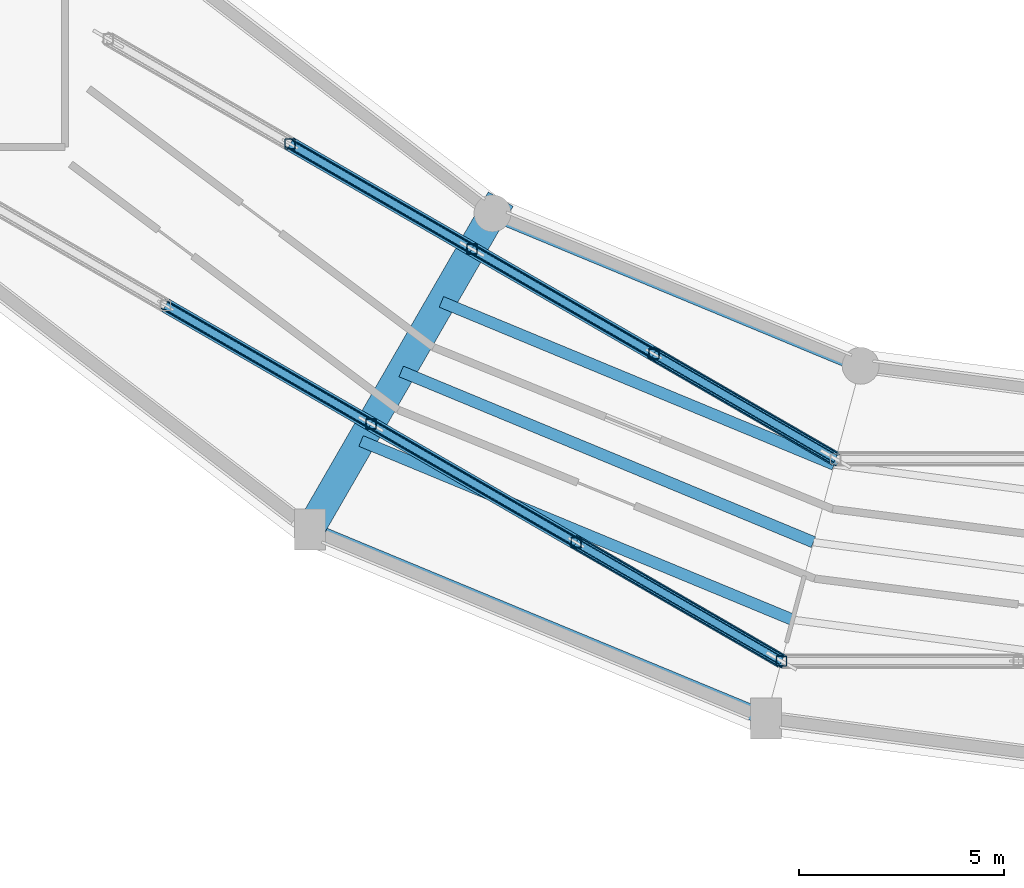
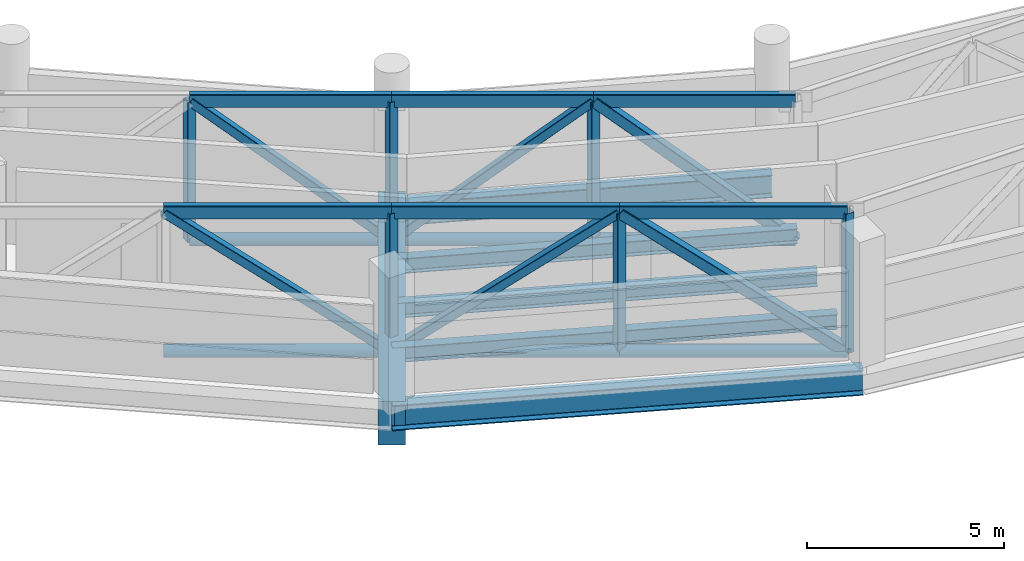
# One storey, part 13 of 121: 24 members, 6 beams.
"""IFC4 building model written with IfcOpenShell, lengths in metres."""

import ifcopenshell
import ifcopenshell.guid

model = None  # the IFC model being written
_history = None  # IfcOwnerHistory: only IFC2X3 demands one
_inside = {}  # id of a spatial element -> (the spatial element, [elements in it])
_under = {}  # id of a project, library or spatial element -> (it, [spatial elements below it])
_declared = {}  # id of a project -> (the project, [libraries it declares])
_typed = {}  # id of a type object -> (the type object, [elements of that type])
_made_of = {}  # id of a material, layer set ... -> (it, [elements and type objects made of it])


def new_model(schema):
    """Start an empty IFC model of exactly this schema.

    Asked for "IFC4X3", IfcOpenShell would pick the latest addendum, in which some entities
    have other attributes; the version numbers below select the first issue.
    IFC2X3 requires an IfcOwnerHistory on every rooted entity: one is made here for all.
    """
    global model, _history
    if schema == "IFC4X3":
        model = ifcopenshell.file(schema_version=(4, 3, 0, 0))
    else:
        model = ifcopenshell.file(schema=schema)
    _inside.clear()
    _under.clear()
    _declared.clear()
    _typed.clear()
    _made_of.clear()
    _history = None
    if model.schema == "IFC2X3":
        org = make("IfcOrganization", Name="unknown")
        user = make(
            "IfcPersonAndOrganization",
            ThePerson=make("IfcPerson", FamilyName="unknown"),
            TheOrganization=org,
        )
        app = make(
            "IfcApplication",
            ApplicationDeveloper=org,
            Version="unknown",
            ApplicationFullName="unknown",
            ApplicationIdentifier="unknown",
        )
        _history = make(
            "IfcOwnerHistory",
            OwningUser=user,
            OwningApplication=app,
            ChangeAction="ADDED",
            CreationDate=0,
        )
    return model


def make(cls, **values):
    """One entity of the class cls with the attributes given. An attribute that is None is left unset."""
    return model.create_entity(
        cls, **{name: value for name, value in values.items() if value is not None}
    )


def rooted(cls, **values):
    """An entity with a GlobalId (a new one), such as an element, a storey or a relation."""
    return make(cls, GlobalId=ifcopenshell.guid.new(), OwnerHistory=_history, **values)


def si_unit(unit_type, name, prefix=None):
    """IfcSIUnit, for example si_unit("LENGTHUNIT", "METRE", prefix="MILLI")."""
    return make("IfcSIUnit", UnitType=unit_type, Prefix=prefix, Name=name)


def assignment(units):
    """IfcUnitAssignment: the units of a project."""
    return None if units is None else make("IfcUnitAssignment", Units=units)


def point(xyz):
    """IfcCartesianPoint."""
    return None if xyz is None else make("IfcCartesianPoint", Coordinates=xyz)


def direction(xyz):
    """IfcDirection."""
    return None if xyz is None else make("IfcDirection", DirectionRatios=xyz)


def frame(location, z_axis=None, x_axis=None):
    """IfcAxis2Placement3D, a coordinate frame: its origin and axes. An axis left out is left unset."""
    return make(
        "IfcAxis2Placement3D",
        Location=point(location),
        Axis=direction(z_axis),
        RefDirection=direction(x_axis),
    )


def frame_2d(location, x_axis=None):
    """IfcAxis2Placement2D, a coordinate frame in the plane: its origin and x axis."""
    return make(
        "IfcAxis2Placement2D", Location=point(location), RefDirection=direction(x_axis)
    )


def origin():
    """The frame at (0, 0, 0) with its axes left unset."""
    return frame((0.0, 0.0, 0.0))


def origin_2d():
    """The frame at (0, 0) in the plane with its x axis left unset."""
    return frame_2d((0.0, 0.0))


def place(relative_to, where):
    """IfcLocalPlacement: puts the frame where relative to a parent placement (None: the world)."""
    return make(
        "IfcLocalPlacement", PlacementRelTo=relative_to, RelativePlacement=where
    )


def context(
    kind, dimensions, precision=None, world=None, true_north=None, identifier=None
):
    """IfcGeometricRepresentationContext, for example the 3D "Model" context."""
    return make(
        "IfcGeometricRepresentationContext",
        ContextIdentifier=identifier,
        ContextType=kind,
        CoordinateSpaceDimension=dimensions,
        Precision=precision,
        WorldCoordinateSystem=world,
        TrueNorth=true_north,
    )


def subcontext(parent, identifier, kind, view, scale=None):
    """IfcGeometricRepresentationSubContext, for example "Body" below "Model"."""
    return make(
        "IfcGeometricRepresentationSubContext",
        ContextIdentifier=identifier,
        ContextType=kind,
        ParentContext=parent,
        TargetScale=scale,
        TargetView=view,
    )


def project(units=None, contexts=None):
    """IfcProject with its units and contexts."""
    return rooted(
        "IfcProject",
        Name="project",
        RepresentationContexts=contexts,
        UnitsInContext=assignment(units),
    )


def spatial(cls, under=None, at=None, **own):
    """A site, building, storey or space (cls), placed at a placement, below another one or the project."""
    s = rooted(cls, ObjectPlacement=at, **own)
    if under is not None:
        _under.setdefault(under.id(), (under, []))[1].append(s)
    return s


def profile(cls, at=None, kind="AREA", **sizes):
    """A parametric profile (cls). Its sizes go by their IFC names, for example OverallWidth=200.0."""
    return make(cls, ProfileType=kind, Position=at, **sizes)


def rectangle(**sizes):
    """IfcRectangleProfileDef."""
    return profile("IfcRectangleProfileDef", **sizes)


def hollow_rectangle(**sizes):
    """IfcRectangleHollowProfileDef."""
    return profile("IfcRectangleHollowProfileDef", **sizes)


def hollow_circle(**sizes):
    """IfcCircleHollowProfileDef."""
    return profile("IfcCircleHollowProfileDef", **sizes)


def i_section(**sizes):
    """IfcIShapeProfileDef."""
    return profile("IfcIShapeProfileDef", **sizes)


def extrude(swept, where, along, depth):
    """IfcExtrudedAreaSolid: the profile swept, set in the frame where, extruded along a direction by depth."""
    return make(
        "IfcExtrudedAreaSolid",
        SweptArea=swept,
        Position=where,
        ExtrudedDirection=direction(along),
        Depth=depth,
    )


def shape(context_of_items, identifier, shape_type, items):
    """IfcShapeRepresentation: the items that make up one representation, for example the "Body"."""
    return make(
        "IfcShapeRepresentation",
        ContextOfItems=context_of_items,
        RepresentationIdentifier=identifier,
        RepresentationType=shape_type,
        Items=items,
    )


def material(Name=None, Category=None):
    """IfcMaterial."""
    return make("IfcMaterial", Name=Name, Category=Category)


def material_profile(
    of_material, cross_section, Name=None, Category=None, Priority=None
):
    """IfcMaterialProfile: a cross section and its material."""
    return make(
        "IfcMaterialProfile",
        Name=Name,
        Material=of_material,
        Profile=cross_section,
        Priority=Priority,
        Category=Category,
    )


def profile_set(profiles, Name=None, composite=None):
    """IfcMaterialProfileSet."""
    return make(
        "IfcMaterialProfileSet",
        Name=Name,
        MaterialProfiles=profiles,
        CompositeProfile=composite,
    )


def made_of(thing, what):
    """Note that an element or type object is made of a material, layer set ...; save() writes the relation."""
    if what is not None:
        _made_of.setdefault(what.id(), (what, []))[1].append(thing)
    return thing


def type_object(cls, material=None, **own):
    """A type object (cls), such as IfcWallType, which elements share."""
    return made_of(rooted(cls, **own), material)


def element(
    cls,
    number,
    at=None,
    inside=None,
    cuts=None,
    type_object=None,
    material=None,
    context=None,
    identifier="Body",
    shape_type=None,
    held_by="IfcProductDefinitionShape",
    body=None,
    shapes=None,
    **own,
):
    """One element of the class cls, such as IfcWall. Its Tag is "e" and its number.

    at: its placement. inside: the storey or other place that contains it. cuts: it is an
    opening in that element (IfcRelVoidsElement). A single representation is given by context,
    identifier, shape_type and body (its items); several are given by shapes. held_by: the class
    of the entity that holds the representations. save() writes the other relations.
    """
    e = rooted(cls, Tag="e%d" % number, ObjectPlacement=at, **own)
    if body is not None:
        shapes = [shape(context, identifier, shape_type, body)]
    if shapes is not None:
        e.Representation = make(held_by, Representations=shapes)
    if inside is not None:
        _inside.setdefault(inside.id(), (inside, []))[1].append(e)
    if cuts is not None:
        rooted(
            "IfcRelVoidsElement", RelatingBuildingElement=cuts, RelatedOpeningElement=e
        )
    if type_object is not None:
        _typed.setdefault(type_object.id(), (type_object, []))[1].append(e)
    return made_of(e, material)


def aggregate(whole, parts):
    """IfcRelAggregates: a whole, such as a stair, and the parts it consists of."""
    return rooted("IfcRelAggregates", RelatingObject=whole, RelatedObjects=parts)


def save(model, path):
    """Write the relations noted so far, then the file.

    IfcRelAggregates (storeys below a building ...), IfcRelContainedInSpatialStructure (elements
    in a storey), IfcRelDefinesByType, IfcRelAssociatesMaterial and IfcRelDeclares: one each for
    every whole, place, type object, material and project.
    """
    for whole, parts in _under.values():
        aggregate(whole, parts)
    for where, things in _inside.values():
        rooted(
            "IfcRelContainedInSpatialStructure",
            RelatedElements=things,
            RelatingStructure=where,
        )
    for kind, things in _typed.values():
        rooted("IfcRelDefinesByType", RelatedObjects=things, RelatingType=kind)
    for what, things in _made_of.values():
        rooted("IfcRelAssociatesMaterial", RelatedObjects=things, RelatingMaterial=what)
    for by, libraries in _declared.values():
        rooted("IfcRelDeclares", RelatingContext=by, RelatedDefinitions=libraries)
    model.write(path)


model = new_model("IFC4")

# Units and contexts
model_context = context("Model", 3, precision=1e-05, world=origin(), true_north=direction((0.0, 1.0)))
body_context = subcontext(model_context, "Body", "Model", "MODEL_VIEW")
ifc_project = project(units=[si_unit("LENGTHUNIT", "METRE"), si_unit("AREAUNIT", "SQUARE_METRE"), si_unit("VOLUMEUNIT", "CUBIC_METRE"), si_unit("PLANEANGLEUNIT", "RADIAN"), si_unit("MASSUNIT", "GRAM", prefix="KILO")], contexts=[model_context])

# Site, building, storey
site_placement = place(None, origin())
site = spatial("IfcSite", under=ifc_project, at=site_placement, CompositionType="ELEMENT")
building_placement = place(site_placement, origin())
building = spatial("IfcBuilding", under=site, at=building_placement, Name="Vespera Passage Community Centre", CompositionType="ELEMENT")
storey_placement = place(building_placement, frame((0.0, 0.0, 8.699951171875)))
storey = spatial("IfcBuildingStorey", under=building, at=storey_placement, Name="L02", CompositionType="ELEMENT", Elevation=8.699951171875)

# Members
ifc_material_1 = material(Name="Steel ASTM A500 Grade C", Category="steel")
ifc_material_profile_1 = material_profile(ifc_material_1, hollow_circle(Radius=0.177734375, WallThickness=0.014892578125, at=origin_2d()), Name="CHS356X15.9")
ifc_profile_set_1 = profile_set([ifc_material_profile_1], Name="Steel ASTM A500 Grade C")
member_type_1 = type_object("IfcMemberType", Name="BC-356", PredefinedType="CHORD", material=ifc_profile_set_1)
for number, where, z_axis, x_axis, name in (
    (1, (51.431640625, 31.03857421875, -0.849853515625), (0.866042756167, -0.499969943588, 0.0), (0.499969943588, 0.866042756167, 0.0), "BC-356 Transfer Truss Chord TR2O.2"),
    (2, (56.435791015625, 28.149658203125, -0.849853515625), (0.866013897511, -0.50001992892, 0.0), (0.50001992892, 0.866013897511, 0.0), "BC-356 Transfer Truss Chord TR2O.3"),
    (3, (61.439697265625, 25.260498046875, -0.849853515625), (0.866013897511, -0.50001992892, 0.0), (0.50001992892, 0.866013897511, 0.0), "BC-356 Transfer Truss Chord TR2O.4"),
):
    element("IfcMember", number, at=place(storey_placement, frame(where, z_axis=z_axis, x_axis=x_axis)), inside=storey, type_object=member_type_1, Name=name, PredefinedType="CHORD", context=body_context, shape_type="SweptSolid", body=[
        extrude(hollow_circle(Radius=0.177734375, WallThickness=0.014892578125, at=origin_2d()), origin(), (0.0, 0.0, 1.0), 5.778076171875),
    ])
member_1_placement = place(storey_placement, frame((54.46630859375, 34.974853515625, -0.849853515625), z_axis=(0.86602115158, -0.500007364961, 0.0), x_axis=(0.500007364961, 0.86602115158, 0.0)))
element("IfcMember", 4, at=member_1_placement, inside=storey, type_object=member_type_1, Name="BC-356 Transfer Truss Chord TR2I.2", PredefinedType="CHORD", context=body_context, shape_type="SweptSolid", body=[
    extrude(hollow_circle(Radius=0.177734375, WallThickness=0.014892578125, at=origin_2d()), origin(), (0.0, 0.0, 1.0), 5.1181640625),
])
member_2_placement = place(storey_placement, frame((58.898681640625, 32.415771484375, -0.849853515625), z_axis=(0.866033076574, -0.499986710104, 0.0), x_axis=(0.499986710104, 0.866033076574, 0.0)))
element("IfcMember", 5, at=member_2_placement, inside=storey, type_object=member_type_1, Name="BC-356 Transfer Truss Chord TR2I.3", PredefinedType="CHORD", context=body_context, shape_type="SweptSolid", body=[
    extrude(hollow_circle(Radius=0.177734375, WallThickness=0.014892578125, at=origin_2d()), origin(), (0.0, 0.0, 1.0), 5.118408203125),
])
member_3_placement = place(storey_placement, frame((63.331298828125, 29.856689453125, -0.849853515625), z_axis=(0.86602115158, -0.500007364961, 0.0), x_axis=(0.500007364961, 0.86602115158, 0.0)))
element("IfcMember", 6, at=member_3_placement, inside=storey, type_object=member_type_1, Name="BC-356 Transfer Truss Chord TR2I.4", PredefinedType="CHORD", context=body_context, shape_type="SweptSolid", body=[
    extrude(hollow_circle(Radius=0.177734375, WallThickness=0.014892578125, at=origin_2d()), origin(), (0.0, 0.0, 1.0), 5.1181640625),
])

# Beams
ifc_material_2 = material(Name="Steel ASTM A992 Grade 50", Category="steel")
ifc_material_profile_2 = material_profile(ifc_material_2, i_section(OverallWidth=0.280517578125, OverallDepth=0.46240234375, WebThickness=0.0107421875, FlangeThickness=0.017333984375, FilletRadius=0.01025390625, at=origin_2d()), Name="W18X76")
ifc_profile_set_2 = profile_set([ifc_material_profile_2], Name="Steel ASTM A992 Grade 50")
beam_type_1 = type_object("IfcBeamType", Name="BM-J-W18X76", PredefinedType="JOIST", material=ifc_profile_set_2)
beam_1_placement = place(storey_placement, frame((58.154052734375, 31.125732421875, -0.571044921875), z_axis=(0.923873815861, -0.382697233288, 0.0), x_axis=(0.382697233288, 0.923873815861, 0.0)))
element("IfcBeam", 7, at=beam_1_placement, inside=storey, type_object=beam_type_1, Name="V4 L02 Floor Joist 16.1", PredefinedType="JOIST", context=body_context, shape_type="SweptSolid", body=[
    extrude(i_section(OverallWidth=0.280517578125, OverallDepth=0.46240234375, WebThickness=0.0107421875, FlangeThickness=0.017333984375, FilletRadius=0.01025390625, at=origin_2d()), origin(), (0.0, 0.0, 1.0), 10.361572265625),
])
beam_2_placement = place(storey_placement, frame((57.175048828125, 29.43017578125, -0.571044921875), z_axis=(0.923878079901, -0.382686939258, 0.0), x_axis=(0.382686939258, 0.923878079901, 0.0)))
element("IfcBeam", 8, at=beam_2_placement, inside=storey, type_object=beam_type_1, Name="V4 L02 Floor Joist 16.2", PredefinedType="JOIST", context=body_context, shape_type="SweptSolid", body=[
    extrude(i_section(OverallWidth=0.280517578125, OverallDepth=0.46240234375, WebThickness=0.0107421875, FlangeThickness=0.017333984375, FilletRadius=0.01025390625, at=origin_2d()), origin(), (0.0, 0.0, 1.0), 10.872802734375),
])
beam_3_placement = place(storey_placement, frame((56.196044921875, 27.734375, -0.571044921875), z_axis=(0.923878820173, -0.382685152097, 0.0), x_axis=(0.382685152097, 0.923878820173, 0.0)))
element("IfcBeam", 9, at=beam_3_placement, inside=storey, type_object=beam_type_1, Name="V4 L02 Floor Joist 16.3", PredefinedType="JOIST", context=body_context, shape_type="SweptSolid", body=[
    extrude(i_section(OverallWidth=0.280517578125, OverallDepth=0.46240234375, WebThickness=0.0107421875, FlangeThickness=0.017333984375, FilletRadius=0.01025390625, at=origin_2d()), origin(), (0.0, 0.0, 1.0), 11.3837890625),
])
ifc_material_3 = material(Name="Steel ASTM A992 Grade 50", Category="steel")
ifc_material_profile_3 = material_profile(ifc_material_3, i_section(OverallWidth=0.3544921875, OverallDepth=0.695556640625, WebThickness=0.015380859375, FlangeThickness=0.024658203125, FilletRadius=0.01513671875, at=origin_2d()), Name="W27X146")
ifc_profile_set_3 = profile_set([ifc_material_profile_3], Name="Steel ASTM A992 Grade 50")
beam_type_2 = type_object("IfcBeamType", Name="BM-SP-W27X146E", PredefinedType="SPANDREL", material=ifc_profile_set_3)
beam_4_placement = place(storey_placement, frame((59.39990234375, 33.283935546875, -0.687744140625), z_axis=(0.923878947685, -0.382684844258, 0.0), x_axis=(0.382684844258, 0.923878947685, 0.0)))
element("IfcBeam", 10, at=beam_4_placement, inside=storey, type_object=beam_type_2, Name="V4 L02 Inner Spandrel 16", PredefinedType="SPANDREL", context=body_context, shape_type="SweptSolid", body=[
    extrude(i_section(OverallWidth=0.3544921875, OverallDepth=0.695556640625, WebThickness=0.015380859375, FlangeThickness=0.024658203125, FilletRadius=0.01513671875, at=origin_2d()), origin(), (0.0, 0.0, 1.0), 9.711181640625),
])
ifc_material_4 = material(Name="Steel ASTM A992 Grade 50", Category="steel")
ifc_material_profile_4 = material_profile(ifc_material_4, i_section(OverallWidth=0.382080078125, OverallDepth=0.779296875, WebThickness=0.01806640625, FlangeThickness=0.030029296875, FilletRadius=0.0166015625, at=origin_2d()), Name="W30X191")
ifc_profile_set_4 = profile_set([ifc_material_profile_4], Name="Steel ASTM A992 Grade 50")
beam_type_3 = type_object("IfcBeamType", Name="BM-SP-W30X191E", PredefinedType="SPANDREL", material=ifc_profile_set_4)
beam_5_placement = place(storey_placement, frame((54.949951171875, 25.576171875, -0.729736328125), z_axis=(0.923877379647, -0.382688629799, 0.0), x_axis=(0.382688629799, 0.923877379647, 0.0)))
element("IfcBeam", 11, at=beam_5_placement, inside=storey, type_object=beam_type_3, Name="V4 L02 Outer Spandrel 16", PredefinedType="SPANDREL", context=body_context, shape_type="SweptSolid", body=[
    extrude(i_section(OverallWidth=0.382080078125, OverallDepth=0.779296875, WebThickness=0.01806640625, FlangeThickness=0.030029296875, FilletRadius=0.0166015625, at=origin_2d()), origin(), (0.0, 0.0, 1.0), 12.034423828125),
])

# Members
ifc_material_5 = material(Name="Steel ASTM A500 Grade C", Category="steel")
ifc_material_profile_5 = material_profile(ifc_material_5, hollow_rectangle(XDim=0.203125, YDim=0.406494140625, WallThickness=0.014892578125, InnerFilletRadius=0.014892578125, OuterFilletRadius=0.029541015625, at=origin_2d()), Name="HSS406X203X15.9")
ifc_profile_set_5 = profile_set([ifc_material_profile_5], Name="Steel ASTM A500 Grade C")
member_type_2 = type_object("IfcMemberType", Name="TC-406", PredefinedType="CHORD", material=ifc_profile_set_5)
for number, where, z_axis, x_axis, name in (
    (12, (51.431640625, 31.03857421875, 3.47998046875), (0.866042756167, -0.499969943588, 0.0), (0.499969943588, 0.866042756167, 0.0), "TC-406 Transfer Truss Chord TR2O.2"),
    (13, (56.435791015625, 28.149658203125, 3.47998046875), (0.866013897511, -0.50001992892, 0.0), (0.50001992892, 0.866013897511, 0.0), "TC-406 Transfer Truss Chord TR2O.3"),
    (14, (61.439697265625, 25.260498046875, 3.47998046875), (0.866013897511, -0.50001992892, 0.0), (0.50001992892, 0.866013897511, 0.0), "TC-406 Transfer Truss Chord TR2O.4"),
):
    element("IfcMember", number, at=place(storey_placement, frame(where, z_axis=z_axis, x_axis=x_axis)), inside=storey, type_object=member_type_2, Name=name, PredefinedType="CHORD", context=body_context, shape_type="SweptSolid", body=[
        extrude(hollow_rectangle(XDim=0.203125, YDim=0.406494140625, WallThickness=0.014892578125, InnerFilletRadius=0.014892578125, OuterFilletRadius=0.029541015625, at=origin_2d()), origin(), (0.0, 0.0, 1.0), 5.778076171875),
    ])
member_4_placement = place(storey_placement, frame((54.46630859375, 34.974853515625, 3.47998046875), z_axis=(0.86602115158, -0.500007364961, 0.0), x_axis=(0.500007364961, 0.86602115158, 0.0)))
element("IfcMember", 15, at=member_4_placement, inside=storey, type_object=member_type_2, Name="TC-406 Transfer Truss Chord TR2I.2", PredefinedType="CHORD", context=body_context, shape_type="SweptSolid", body=[
    extrude(hollow_rectangle(XDim=0.203125, YDim=0.406494140625, WallThickness=0.014892578125, InnerFilletRadius=0.014892578125, OuterFilletRadius=0.029541015625, at=origin_2d()), origin(), (0.0, 0.0, 1.0), 5.1181640625),
])
member_5_placement = place(storey_placement, frame((58.898681640625, 32.415771484375, 3.47998046875), z_axis=(0.866033076574, -0.499986710104, 0.0), x_axis=(0.499986710104, 0.866033076574, 0.0)))
element("IfcMember", 16, at=member_5_placement, inside=storey, type_object=member_type_2, Name="TC-406 Transfer Truss Chord TR2I.3", PredefinedType="CHORD", context=body_context, shape_type="SweptSolid", body=[
    extrude(hollow_rectangle(XDim=0.203125, YDim=0.406494140625, WallThickness=0.014892578125, InnerFilletRadius=0.014892578125, OuterFilletRadius=0.029541015625, at=origin_2d()), origin(), (0.0, 0.0, 1.0), 5.118408203125),
])
member_6_placement = place(storey_placement, frame((63.331298828125, 29.856689453125, 3.47998046875), z_axis=(0.86602115158, -0.500007364961, 0.0), x_axis=(0.500007364961, 0.86602115158, 0.0)))
element("IfcMember", 17, at=member_6_placement, inside=storey, type_object=member_type_2, Name="TC-406 Transfer Truss Chord TR2I.4", PredefinedType="CHORD", context=body_context, shape_type="SweptSolid", body=[
    extrude(hollow_rectangle(XDim=0.203125, YDim=0.406494140625, WallThickness=0.014892578125, InnerFilletRadius=0.014892578125, OuterFilletRadius=0.029541015625, at=origin_2d()), origin(), (0.0, 0.0, 1.0), 5.1181640625),
])
ifc_material_6 = material(Name="Steel ASTM A500 Grade C", Category="steel")
ifc_material_profile_6 = material_profile(ifc_material_6, hollow_rectangle(XDim=0.25390625, YDim=0.25390625, WallThickness=0.01171875, InnerFilletRadius=0.01171875, OuterFilletRadius=0.023681640625, at=origin_2d()), Name="HSS254X254X12.7")
ifc_profile_set_6 = profile_set([ifc_material_profile_6], Name="Steel ASTM A500 Grade C")
member_type_3 = type_object("IfcMemberType", Name="TD-254", PredefinedType="BRACE", material=ifc_profile_set_6)
for number, where, z_axis, x_axis, name in (
    (18, (51.431640625, 31.03857421875, 3.47998046875), (0.693052951227, -0.400102237979, -0.599663077036), (0.499969943588, 0.866042756167, 0.0), "TD-254 Transfer Truss Diagonal TR2O.2"),
    (19, (56.435791015625, 28.149658203125, -0.849853515625), (0.693026002738, -0.400140013485, 0.599669016323), (0.50001992892, 0.866013897511, 0.0), "TD-254 Transfer Truss Diagonal TR2O.3"),
):
    element("IfcMember", number, at=place(storey_placement, frame(where, z_axis=z_axis, x_axis=x_axis)), inside=storey, type_object=member_type_3, Name=name, PredefinedType="BRACE", context=body_context, shape_type="SweptSolid", body=[
        extrude(hollow_rectangle(XDim=0.25390625, YDim=0.25390625, WallThickness=0.01171875, InnerFilletRadius=0.01171875, OuterFilletRadius=0.023681640625, at=origin_2d()), origin(), (0.0, 0.0, 1.0), 7.220458984375),
    ])
member_7_placement = place(storey_placement, frame((54.46630859375, 34.974853515625, 3.47998046875), z_axis=(0.661163221442, -0.381730260929, -0.645867790266), x_axis=(0.500007364961, 0.86602115158, 0.0)))
element("IfcMember", 20, at=member_7_placement, inside=storey, type_object=member_type_3, Name="TD-254 Transfer Truss Diagonal TR2I.2", PredefinedType="BRACE", context=body_context, shape_type="SweptSolid", body=[
    extrude(hollow_rectangle(XDim=0.25390625, YDim=0.25390625, WallThickness=0.01171875, InnerFilletRadius=0.01171875, OuterFilletRadius=0.023681640625, at=origin_2d()), origin(), (0.0, 0.0, 1.0), 6.703857421875),
])
member_8_placement = place(storey_placement, frame((58.898681640625, 32.415771484375, -0.849853515625), z_axis=(0.661183718881, -0.381721069691, 0.645852239169), x_axis=(0.499986710104, 0.866033076574, 0.0)))
element("IfcMember", 21, at=member_8_placement, inside=storey, type_object=member_type_3, Name="TD-254 Transfer Truss Diagonal TR2I.3", PredefinedType="BRACE", context=body_context, shape_type="SweptSolid", body=[
    extrude(hollow_rectangle(XDim=0.25390625, YDim=0.25390625, WallThickness=0.01171875, InnerFilletRadius=0.01171875, OuterFilletRadius=0.023681640625, at=origin_2d()), origin(), (0.0, 0.0, 1.0), 6.7041015625),
])
ifc_material_7 = material(Name="Steel ASTM A500 Grade C", Category="steel")
ifc_material_profile_7 = material_profile(ifc_material_7, hollow_rectangle(XDim=0.3046875, YDim=0.3046875, WallThickness=0.014892578125, InnerFilletRadius=0.014892578125, OuterFilletRadius=0.029541015625, at=origin_2d()), Name="HSS305X305X15.9")
ifc_profile_set_7 = profile_set([ifc_material_profile_7], Name="Steel ASTM A500 Grade C")
member_type_4 = type_object("IfcMemberType", Name="TD-305", PredefinedType="BRACE", material=ifc_profile_set_7)
member_9_placement = place(storey_placement, frame((61.439697265625, 25.260498046875, 3.47998046875), z_axis=(0.693026002738, -0.400140013485, -0.599669016323), x_axis=(0.50001992892, 0.866013897511, 0.0)))
element("IfcMember", 22, at=member_9_placement, inside=storey, type_object=member_type_4, Name="TD-305 Transfer Truss Diagonal TR2O.4", PredefinedType="BRACE", context=body_context, shape_type="SweptSolid", body=[
    extrude(hollow_rectangle(XDim=0.3046875, YDim=0.3046875, WallThickness=0.014892578125, InnerFilletRadius=0.014892578125, OuterFilletRadius=0.029541015625, at=origin_2d()), origin(), (0.0, 0.0, 1.0), 7.220458984375),
])
member_10_placement = place(storey_placement, frame((63.331298828125, 29.856689453125, 3.47998046875), z_axis=(0.661163221442, -0.381730260929, -0.645867790266), x_axis=(0.500007364961, 0.86602115158, 0.0)))
element("IfcMember", 23, at=member_10_placement, inside=storey, type_object=member_type_4, Name="TD-305 Transfer Truss Diagonal TR2I.4", PredefinedType="BRACE", context=body_context, shape_type="SweptSolid", body=[
    extrude(hollow_rectangle(XDim=0.3046875, YDim=0.3046875, WallThickness=0.014892578125, InnerFilletRadius=0.014892578125, OuterFilletRadius=0.029541015625, at=origin_2d()), origin(), (0.0, 0.0, 1.0), 6.703857421875),
])

# Beam
ifc_material_8 = material(Name="Concrete f'c 45 MPa", Category="concrete")
ifc_material_profile_8 = material_profile(ifc_material_8, rectangle(XDim=0.699951171875, YDim=1.35009765625, at=origin_2d()), Name="RC700X1350")
ifc_profile_set_8 = profile_set([ifc_material_profile_8], Name="Concrete f'c 45 MPa")
beam_type_4 = type_object("IfcBeamType", Name="TG-1350", PredefinedType="USERDEFINED", material=ifc_profile_set_8)
beam_6_placement = place(storey_placement, frame((59.60009765625, 33.63037109375, -1.014892578125), z_axis=(-0.500004225487, -0.866022964185, 0.0), x_axis=(0.866022964185, -0.500004225487, 0.0)))
element("IfcBeam", 24, at=beam_6_placement, inside=storey, type_object=beam_type_4, Name="V4 L02 Radial Transfer Girder 16", ObjectType="TRANSFER GIRDER", PredefinedType="USERDEFINED", context=body_context, shape_type="SweptSolid", body=[
    extrude(rectangle(XDim=0.699951171875, YDim=1.35009765625, at=origin_2d()), origin(), (0.0, 0.0, 1.0), 9.30029296875),
])

# Members
ifc_material_9 = material(Name="Steel ASTM A500 Grade C", Category="steel")
ifc_material_profile_9 = material_profile(ifc_material_9, hollow_rectangle(XDim=0.25390625, YDim=0.25390625, WallThickness=0.01171875, InnerFilletRadius=0.01171875, OuterFilletRadius=0.023681640625, at=origin_2d()), Name="HSS254X254X12.7")
ifc_profile_set_9 = profile_set([ifc_material_profile_9], Name="Steel ASTM A500 Grade C")
member_type_5 = type_object("IfcMemberType", Name="TP-254", PredefinedType="POST", material=ifc_profile_set_9)
for number, where, z_axis, x_axis, name in (
    (25, (56.435791015625, 28.149658203125, -0.849853515625), (0.0, 0.0, 1.0), (1.0, 0.0, 0.0), "Truss TR2O Vertical Post 3"),
    (26, (61.439697265625, 25.260498046875, -0.849853515625), (0.0, 0.0, 1.0), (1.0, 0.0, 0.0), "Truss TR2O Vertical Post 4"),
    (27, (66.443603515625, 22.371337890625, -0.849853515625), (0.0, 0.0, 1.0), (1.0, 0.0, 0.0), "Truss TR2O Vertical Post 5"),
    (28, (54.46630859375, 34.974853515625, -0.849853515625), (0.0, 0.0, 1.0), (1.0, 0.0, 0.0), "Truss TR2I Vertical Post 2"),
    (29, (58.898681640625, 32.415771484375, -0.849853515625), (0.0, 0.0, 1.0), (1.0, 0.0, 0.0), "Truss TR2I Vertical Post 3"),
    (30, (63.331298828125, 29.856689453125, -0.849853515625), (0.0, 0.0, 1.0), (1.0, 0.0, 0.0), "Truss TR2I Vertical Post 4"),
):
    element("IfcMember", number, at=place(storey_placement, frame(where, z_axis=z_axis, x_axis=x_axis)), inside=storey, type_object=member_type_5, Name=name, PredefinedType="POST", context=body_context, shape_type="SweptSolid", body=[
        extrude(hollow_rectangle(XDim=0.25390625, YDim=0.25390625, WallThickness=0.01171875, InnerFilletRadius=0.01171875, OuterFilletRadius=0.023681640625, at=origin_2d()), origin(), (0.0, 0.0, 1.0), 4.329833984375),
    ])

save(model, "model.ifc")
